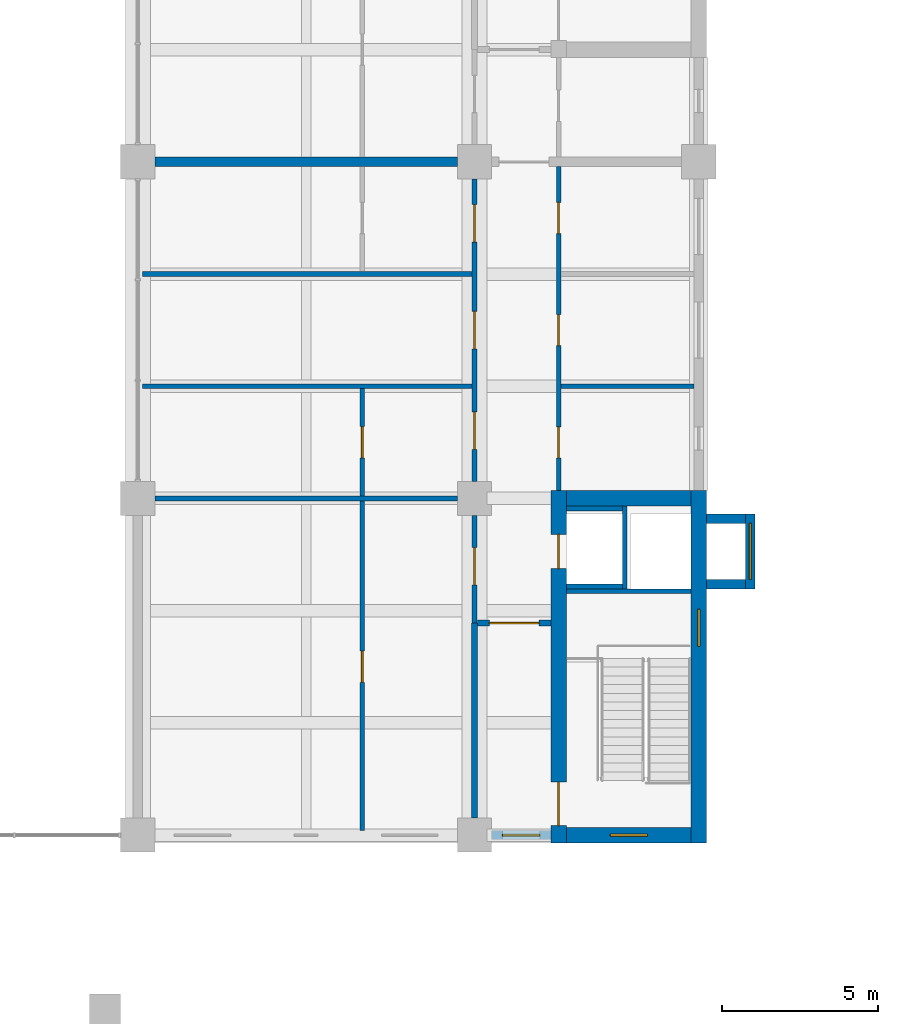
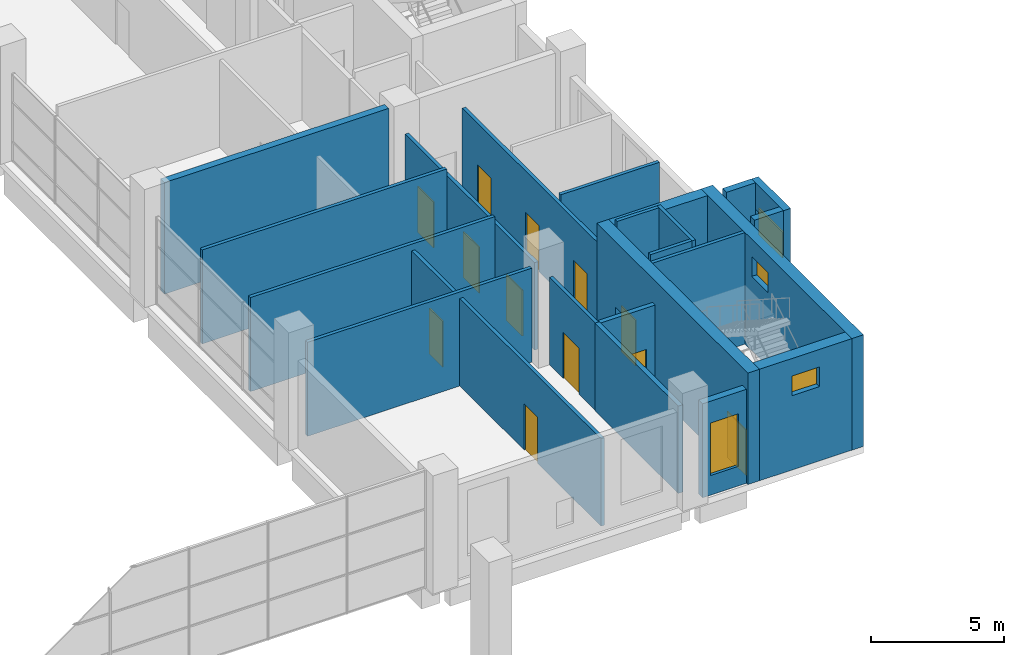
# One storey, part 20 of 32: 24 walls, 12 doors, 4 windows, 16 openings.
"""IFC4 building model written with IfcOpenShell, lengths in metres."""

from ifc_helpers import new_model, si_unit, direction, frame, frame_2d, origin, place, context, subcontext, project, spatial, rectangle, extrude, material, layer, layer_set, type_object, element, fill, save


model = new_model("IFC4")

# Units and contexts
model_context = context("Model", 3, precision=1e-05, world=origin(), true_north=direction((0.0, 1.0)))
body_context = subcontext(model_context, "Body", "Model", "MODEL_VIEW")
ifc_project = project(units=[si_unit("LENGTHUNIT", "METRE"), si_unit("AREAUNIT", "SQUARE_METRE"), si_unit("VOLUMEUNIT", "CUBIC_METRE"), si_unit("PLANEANGLEUNIT", "RADIAN"), si_unit("MASSUNIT", "GRAM", prefix="KILO")], contexts=[model_context])

# Site, building, storey
site_placement = place(None, origin())
site = spatial("IfcSite", under=ifc_project, at=site_placement, CompositionType="ELEMENT")
building_placement = place(site_placement, origin())
building = spatial("IfcBuilding", under=site, at=building_placement, Name="Basin Gate Institute", CompositionType="ELEMENT")
storey_placement = place(building_placement, frame((0.0, 0.0, 11.39990234375)))
storey = spatial("IfcBuildingStorey", under=building, at=storey_placement, Name="L02", CompositionType="ELEMENT", Elevation=11.39990234375)

# Wall, opening, door
ifc_material_1 = material(Name="Fire-rated masonry", Category="masonry")
ifc_layer_1 = layer(ifc_material_1, 0.199951171875)
ifc_layer_set_1 = layer_set([ifc_layer_1], Name="Enclosure wall PW2 200 EI 60")
wall_type_1 = type_object("IfcWallType", Name="Enclosure wall PW2 200 EI 60", PredefinedType="PARTITIONING", material=ifc_layer_set_1)
wall_1_placement = place(storey_placement, frame((114.050048828125, 41.89990234375, 0.0), z_axis=(0.0, 0.0, 1.0), x_axis=(-1.0, 0.0, 0.0)))
wall_1 = element("IfcWall", 1, at=wall_1_placement, inside=storey, type_object=wall_type_1, material=ifc_layer_set_1, Name="Smoke lobby enclosure wall PW2 L02", PredefinedType="PARTITIONING", context=body_context, shape_type="SweptSolid", body=[
    extrude(rectangle(XDim=2.35009765625, YDim=0.199951171875, at=frame_2d((1.175048828125, 0.0))), origin(), (0.0, 0.0, 1.0), 4.0),
])
opening_1_placement = place(wall_1_placement, frame((0.375, 0.0, 0.0)))
opening_1 = element("IfcOpeningElement", 2, at=opening_1_placement, cuts=wall_1, Name="Opening DR118", PredefinedType="OPENING", context=body_context, shape_type="SweptSolid", body=[
    extrude(rectangle(XDim=1.60009765625, YDim=2.10009765625, at=frame_2d((0.800048828125, 1.050048828125))), frame((0.0, 0.10986328125, 0.0), z_axis=(0.0, -1.0, 0.0), x_axis=(1.0, 0.0, 0.0)), (0.0, 0.0, 1.0), 0.219970703125),
])
ifc_material_2 = material(Name="Steel fire door", Category="steel")
door_type_1 = type_object("IfcDoorType", Name="FD60 Smoke lobby door pair D8", OperationType="DOUBLE_DOOR_SINGLE_SWING", PredefinedType="DOOR", material=ifc_material_2)
door_1_placement = place(opening_1_placement, origin())
door_1 = element("IfcDoor", 3, at=door_1_placement, inside=storey, type_object=door_type_1, material=ifc_material_2, Name="Smoke lobby door SS4 L02", OperationType="DOUBLE_DOOR_SINGLE_SWING", OverallHeight=2.10009765625, OverallWidth=1.60009765625, PredefinedType="DOOR", context=body_context, shape_type="SweptSolid", body=[
    extrude(rectangle(XDim=1.60009765625, YDim=2.10009765625, at=frame_2d((0.800048828125, 1.050048828125))), frame((0.0, 0.02490234375, 0.0), z_axis=(0.0, -1.0, 0.0), x_axis=(1.0, 0.0, 0.0)), (0.0, 0.0, 1.0), 0.050048828125),
])
fill(opening_1, door_1)

# Wall
wall_2_placement = place(storey_placement, frame((111.60009765625, 35.64990234375, 0.0), z_axis=(0.0, 0.0, 1.0), x_axis=(0.0, 1.0, 0.0)))
element("IfcWall", 4, at=wall_2_placement, inside=storey, type_object=wall_type_1, material=ifc_layer_set_1, Name="Smoke lobby enclosure wall PW2 L02", PredefinedType="PARTITIONING", context=body_context, shape_type="SweptSolid", body=[
    extrude(rectangle(XDim=6.25, YDim=0.199951171875, at=frame_2d((3.125, 0.0))), origin(), (0.0, 0.0, 1.0), 4.0),
])

# Wall, opening, window
ifc_material_3 = material(Name="Aluminium-faced insulated panel wall", Category="aluminium")
ifc_layer_2 = layer(ifc_material_3, 0.300048828125)
ifc_layer_set_2 = layer_set([ifc_layer_2], Name="External wall EW1 EI 120")
wall_type_2 = type_object("IfcWallType", Name="External wall EW1 EI 120", PredefinedType="STANDARD", material=ifc_layer_set_2)
wall_3_placement = place(storey_placement, frame((114.050048828125, 35.10009765625, 0.0), z_axis=(0.0, 0.0, 1.0), x_axis=(-1.0, 0.0, 0.0)))
wall_3 = element("IfcWall", 5, at=wall_3_placement, inside=storey, type_object=wall_type_2, material=ifc_layer_set_2, Name="External end wall E wing south L02 1", PredefinedType="STANDARD", context=body_context, shape_type="SweptSolid", body=[
    extrude(rectangle(XDim=1.900146484375, YDim=0.300048828125, at=frame_2d((0.9501953125, 0.0))), origin(), (0.0, 0.0, 1.0), 4.300048828125),
])
opening_2_placement = place(wall_3_placement, frame((0.35009765625, 0.0, 0.89990234375)))
opening_2 = element("IfcOpeningElement", 6, at=opening_2_placement, cuts=wall_3, Name="Opening WN4", PredefinedType="OPENING", context=body_context, shape_type="SweptSolid", body=[
    extrude(rectangle(XDim=1.199951171875, YDim=2.39990234375, at=frame_2d((0.60009765625, 1.199951171875))), frame((0.0, 0.16015625, 0.0), z_axis=(0.0, -1.0, 0.0), x_axis=(1.0, 0.0, 0.0)), (0.0, 0.0, 1.0), 0.320068359375),
])
ifc_material_4 = material(Name="Aluminium-framed double glazing", Category="aluminium")
window_type_1 = type_object("IfcWindowType", Name="Corridor end window WN4", PartitioningType="SINGLE_PANEL", PredefinedType="WINDOW", material=ifc_material_4)
window_1_placement = place(opening_2_placement, origin())
window_1 = element("IfcWindow", 7, at=window_1_placement, inside=storey, type_object=window_type_1, material=ifc_material_4, Name="Corridor end window E wing S L02", OverallHeight=2.39990234375, OverallWidth=1.199951171875, PartitioningType="SINGLE_PANEL", PredefinedType="WINDOW", context=body_context, shape_type="SweptSolid", body=[
    extrude(rectangle(XDim=1.199951171875, YDim=2.39990234375, at=frame_2d((0.60009765625, 1.199951171875))), frame((0.0, 0.030029296875, 0.0), z_axis=(0.0, -1.0, 0.0), x_axis=(1.0, 0.0, 0.0)), (0.0, 0.0, 1.0), 0.06005859375),
])
fill(opening_2, window_1)

# Wall, openings, doors
ifc_material_5 = material(Name="Gypsum board on steel stud", Category="steel")
ifc_layer_3 = layer(ifc_material_5, 0.14990234375)
ifc_layer_set_3 = layer_set([ifc_layer_3], Name="Gypsum board on steel stud")
wall_type_3 = type_object("IfcWallType", Name="Partition PW1 150 EI 60", PredefinedType="PARTITIONING", material=ifc_layer_set_3)
wall_4_placement = place(storey_placement, frame((114.300048828125, 46.14990234375, 0.0), z_axis=(0.0, 0.0, 1.0), x_axis=(0.0, 1.0, 0.0)))
wall_4 = element("IfcWall", 8, at=wall_4_placement, inside=storey, type_object=wall_type_3, material=ifc_layer_set_3, Name="Corridor wall PW1 L02", PredefinedType="PARTITIONING", context=body_context, shape_type="SweptSolid", body=[
    extrude(rectangle(XDim=10.400146484375, YDim=0.14990234375, at=frame_2d((5.2001953125, 0.0))), origin(), (0.0, 0.0, 1.0), 4.0),
])
opening_3_placement = place(wall_4_placement, frame((4.64990234375, 0.0, 0.0)))
opening_3 = element("IfcOpeningElement", 9, at=opening_3_placement, cuts=wall_4, Name="Opening DR100", PredefinedType="OPENING", context=body_context, shape_type="SweptSolid", body=[
    extrude(rectangle(XDim=1.0, YDim=2.10009765625, at=frame_2d((0.5, 1.050048828125))), frame((0.0, 0.0849609375, 0.0), z_axis=(0.0, -1.0, 0.0), x_axis=(1.0, 0.0, 0.0)), (0.0, 0.0, 1.0), 0.169921875),
])
opening_4_placement = place(wall_4_placement, frame((1.050048828125, 0.0, 0.0)))
opening_4 = element("IfcOpeningElement", 10, at=opening_4_placement, cuts=wall_4, Name="Opening DR111", PredefinedType="OPENING", context=body_context, shape_type="SweptSolid", body=[
    extrude(rectangle(XDim=1.0, YDim=2.10009765625, at=frame_2d((0.5, 1.050048828125))), frame((0.0, 0.0849609375, 0.0), z_axis=(0.0, -1.0, 0.0), x_axis=(1.0, 0.0, 0.0)), (0.0, 0.0, 1.0), 0.169921875),
])
opening_5_placement = place(wall_4_placement, frame((8.25, 0.0, 0.0)))
opening_5 = element("IfcOpeningElement", 11, at=opening_5_placement, cuts=wall_4, Name="Opening DR113", PredefinedType="OPENING", context=body_context, shape_type="SweptSolid", body=[
    extrude(rectangle(XDim=1.0, YDim=2.10009765625, at=frame_2d((0.5, 1.050048828125))), frame((0.0, 0.0849609375, 0.0), z_axis=(0.0, -1.0, 0.0), x_axis=(1.0, 0.0, 0.0)), (0.0, 0.0, 1.0), 0.169921875),
])
ifc_material_6 = material(Name="Timber fire door", Category="wood")
door_type_2 = type_object("IfcDoorType", Name="FD30 Office door D1", OperationType="NOTDEFINED", PredefinedType="DOOR", material=ifc_material_6)
door_2_placement = place(opening_4_placement, frame((1.0, 0.0, 0.0), z_axis=(0.0, 0.0, 1.0), x_axis=(-1.0, 0.0, 0.0)))
door_2 = element("IfcDoor", 12, at=door_2_placement, inside=storey, type_object=door_type_2, material=ifc_material_6, Name="Door to Meeting Room 0251 L02", OperationType="SINGLE_SWING_RIGHT", OverallHeight=2.10009765625, OverallWidth=1.0, PredefinedType="DOOR", context=body_context, shape_type="SweptSolid", body=[
    extrude(rectangle(XDim=1.0, YDim=2.10009765625, at=frame_2d((0.5, 1.050048828125))), frame((0.0, 0.02490234375, 0.0), z_axis=(0.0, -1.0, 0.0), x_axis=(1.0, 0.0, 0.0)), (0.0, 0.0, 1.0), 0.050048828125),
])
fill(opening_4, door_2)
door_3_placement = place(opening_5_placement, frame((1.0, 0.0, 0.0), z_axis=(0.0, 0.0, 1.0), x_axis=(-1.0, 0.0, 0.0)))
door_3 = element("IfcDoor", 13, at=door_3_placement, inside=storey, type_object=door_type_2, material=ifc_material_6, Name="Door to Write-up Office 0253 L02", OperationType="SINGLE_SWING_LEFT", OverallHeight=2.10009765625, OverallWidth=1.0, PredefinedType="DOOR", context=body_context, shape_type="SweptSolid", body=[
    extrude(rectangle(XDim=1.0, YDim=2.10009765625, at=frame_2d((0.5, 1.050048828125))), frame((0.0, 0.02490234375, 0.0), z_axis=(0.0, -1.0, 0.0), x_axis=(1.0, 0.0, 0.0)), (0.0, 0.0, 1.0), 0.050048828125),
])
fill(opening_5, door_3)
ifc_material_7 = material(Name="Timber fire door", Category="wood")
door_type_3 = type_object("IfcDoorType", Name="FD30 Toilet door D3", OperationType="NOTDEFINED", PredefinedType="DOOR", material=ifc_material_7)
door_4_placement = place(opening_3_placement, frame((1.0, 0.0, 0.0), z_axis=(0.0, 0.0, 1.0), x_axis=(-1.0, 0.0, 0.0)))
door_4 = element("IfcDoor", 14, at=door_4_placement, inside=storey, type_object=door_type_3, material=ifc_material_7, Name="Door to Female WC L02", OperationType="SINGLE_SWING_RIGHT", OverallHeight=2.10009765625, OverallWidth=1.0, PredefinedType="DOOR", context=body_context, shape_type="SweptSolid", body=[
    extrude(rectangle(XDim=1.0, YDim=2.10009765625, at=frame_2d((0.5, 1.050048828125))), frame((0.0, 0.02490234375, 0.0), z_axis=(0.0, -1.0, 0.0), x_axis=(1.0, 0.0, 0.0)), (0.0, 0.0, 1.0), 0.050048828125),
])
fill(opening_3, door_4)

# Wall, opening, door
wall_5_placement = place(storey_placement, frame((111.60009765625, 41.89990234375, 0.0), z_axis=(0.0, 0.0, 1.0), x_axis=(0.0, 1.0, 0.0)))
wall_5 = element("IfcWall", 15, at=wall_5_placement, inside=storey, type_object=wall_type_3, material=ifc_layer_set_3, Name="Laboratory corridor wall PW1 L02", PredefinedType="PARTITIONING", context=body_context, shape_type="SweptSolid", body=[
    extrude(rectangle(XDim=3.4501953125, YDim=0.14990234375, at=frame_2d((1.72509765625, 0.0))), origin(), (0.0, 0.0, 1.0), 4.0),
])
opening_6_placement = place(wall_5_placement, frame((1.22509765625, 0.0, 0.0)))
opening_6 = element("IfcOpeningElement", 16, at=opening_6_placement, cuts=wall_5, Name="Opening DR101", PredefinedType="OPENING", context=body_context, shape_type="SweptSolid", body=[
    extrude(rectangle(XDim=1.199951171875, YDim=2.10009765625, at=frame_2d((0.60009765625, 1.050048828125))), frame((0.0, 0.0849609375, 0.0), z_axis=(0.0, -1.0, 0.0), x_axis=(1.0, 0.0, 0.0)), (0.0, 0.0, 1.0), 0.169921875),
])
ifc_material_8 = material(Name="Timber fire door", Category="wood")
door_type_4 = type_object("IfcDoorType", Name="FD30 Laboratory door D2", OperationType="DOUBLE_DOOR_SINGLE_SWING", PredefinedType="DOOR", material=ifc_material_8)
door_5_placement = place(opening_6_placement, origin())
door_5 = element("IfcDoor", 17, at=door_5_placement, inside=storey, type_object=door_type_4, material=ifc_material_8, Name="Door to Gowning Airlock 0267 L02", OperationType="DOUBLE_DOOR_SINGLE_SWING", OverallHeight=2.10009765625, OverallWidth=1.199951171875, PredefinedType="DOOR", context=body_context, shape_type="SweptSolid", body=[
    extrude(rectangle(XDim=1.199951171875, YDim=2.10009765625, at=frame_2d((0.60009765625, 1.050048828125))), frame((0.0, 0.02490234375, 0.0), z_axis=(0.0, -1.0, 0.0), x_axis=(1.0, 0.0, 0.0)), (0.0, 0.0, 1.0), 0.050048828125),
])
fill(opening_6, door_5)

# Wall, openings, doors
wall_6_placement = place(storey_placement, frame((111.60009765625, 46.449951171875, 0.0), z_axis=(0.0, 0.0, 1.0), x_axis=(0.0, 1.0, 0.0)))
wall_6 = element("IfcWall", 18, at=wall_6_placement, inside=storey, type_object=wall_type_3, material=ifc_layer_set_3, Name="Laboratory corridor wall PW1 L02", PredefinedType="PARTITIONING", context=body_context, shape_type="SweptSolid", body=[
    extrude(rectangle(XDim=9.699951171875, YDim=0.14990234375, at=frame_2d((4.85009765625, 0.0))), origin(), (0.0, 0.0, 1.0), 4.0),
])
opening_7_placement = place(wall_6_placement, frame((1.02490234375, 0.0, 0.0)))
opening_7 = element("IfcOpeningElement", 19, at=opening_7_placement, cuts=wall_6, Name="Opening DR102", PredefinedType="OPENING", context=body_context, shape_type="SweptSolid", body=[
    extrude(rectangle(XDim=1.199951171875, YDim=2.10009765625, at=frame_2d((0.60009765625, 1.050048828125))), frame((0.0, 0.0849609375, 0.0), z_axis=(0.0, -1.0, 0.0), x_axis=(1.0, 0.0, 0.0)), (0.0, 0.0, 1.0), 0.169921875),
])
opening_8_placement = place(wall_6_placement, frame((7.675048828125, 0.0, 0.0)))
opening_8 = element("IfcOpeningElement", 20, at=opening_8_placement, cuts=wall_6, Name="Opening DR103", PredefinedType="OPENING", context=body_context, shape_type="SweptSolid", body=[
    extrude(rectangle(XDim=1.199951171875, YDim=2.10009765625, at=frame_2d((0.60009765625, 1.050048828125))), frame((0.0, 0.0849609375, 0.0), z_axis=(0.0, -1.0, 0.0), x_axis=(1.0, 0.0, 0.0)), (0.0, 0.0, 1.0), 0.169921875),
])
opening_9_placement = place(wall_6_placement, frame((4.25, 0.0, 0.0)))
opening_9 = element("IfcOpeningElement", 21, at=opening_9_placement, cuts=wall_6, Name="Opening DR109", PredefinedType="OPENING", context=body_context, shape_type="SweptSolid", body=[
    extrude(rectangle(XDim=1.199951171875, YDim=2.10009765625, at=frame_2d((0.60009765625, 1.050048828125))), frame((0.0, 0.0849609375, 0.0), z_axis=(0.0, -1.0, 0.0), x_axis=(1.0, 0.0, 0.0)), (0.0, 0.0, 1.0), 0.169921875),
])
door_6_placement = place(opening_7_placement, origin())
door_6 = element("IfcDoor", 22, at=door_6_placement, inside=storey, type_object=door_type_4, material=ifc_material_8, Name="Door to Gowning Airlock 0269 L02", OperationType="DOUBLE_DOOR_SINGLE_SWING", OverallHeight=2.10009765625, OverallWidth=1.199951171875, PredefinedType="DOOR", context=body_context, shape_type="SweptSolid", body=[
    extrude(rectangle(XDim=1.199951171875, YDim=2.10009765625, at=frame_2d((0.60009765625, 1.050048828125))), frame((0.0, 0.02490234375, 0.0), z_axis=(0.0, -1.0, 0.0), x_axis=(1.0, 0.0, 0.0)), (0.0, 0.0, 1.0), 0.050048828125),
])
fill(opening_7, door_6)
door_7_placement = place(opening_8_placement, origin())
door_7 = element("IfcDoor", 23, at=door_7_placement, inside=storey, type_object=door_type_4, material=ifc_material_8, Name="Door to Gowning Airlock 0272 L02", OperationType="DOUBLE_DOOR_SINGLE_SWING", OverallHeight=2.10009765625, OverallWidth=1.199951171875, PredefinedType="DOOR", context=body_context, shape_type="SweptSolid", body=[
    extrude(rectangle(XDim=1.199951171875, YDim=2.10009765625, at=frame_2d((0.60009765625, 1.050048828125))), frame((0.0, 0.02490234375, 0.0), z_axis=(0.0, -1.0, 0.0), x_axis=(1.0, 0.0, 0.0)), (0.0, 0.0, 1.0), 0.050048828125),
])
fill(opening_8, door_7)
door_8_placement = place(opening_9_placement, origin())
door_8 = element("IfcDoor", 24, at=door_8_placement, inside=storey, type_object=door_type_4, material=ifc_material_8, Name="Door to Instrument Room 0271 L02", OperationType="DOUBLE_DOOR_SINGLE_SWING", OverallHeight=2.10009765625, OverallWidth=1.199951171875, PredefinedType="DOOR", context=body_context, shape_type="SweptSolid", body=[
    extrude(rectangle(XDim=1.199951171875, YDim=2.10009765625, at=frame_2d((0.60009765625, 1.050048828125))), frame((0.0, 0.02490234375, 0.0), z_axis=(0.0, -1.0, 0.0), x_axis=(1.0, 0.0, 0.0)), (0.0, 0.0, 1.0), 0.050048828125),
])
fill(opening_9, door_8)

# Wall, opening, door
wall_7_placement = place(storey_placement, frame((108.0, 35.25, 0.0), z_axis=(0.0, 0.0, 1.0), x_axis=(0.0, 1.0, 0.0)))
wall_7 = element("IfcWall", 25, at=wall_7_placement, inside=storey, type_object=wall_type_3, material=ifc_layer_set_3, Name="Clean room wall PW1 L02", PredefinedType="PARTITIONING", context=body_context, shape_type="SweptSolid", body=[
    extrude(rectangle(XDim=10.574951171875, YDim=0.14990234375, at=frame_2d((5.28759765625, 0.0))), origin(), (0.0, 0.0, 1.0), 4.0),
])
opening_10_placement = place(wall_7_placement, frame((4.75, 0.0, 0.0)))
opening_10 = element("IfcOpeningElement", 26, at=opening_10_placement, cuts=wall_7, Name="Opening DR095", PredefinedType="OPENING", context=body_context, shape_type="SweptSolid", body=[
    extrude(rectangle(XDim=1.0, YDim=2.10009765625, at=frame_2d((0.5, 1.050048828125))), frame((0.0, 0.0849609375, 0.0), z_axis=(0.0, -1.0, 0.0), x_axis=(1.0, 0.0, 0.0)), (0.0, 0.0, 1.0), 0.169921875),
])
ifc_material_9 = material(Name="Steel fire door", Category="steel")
door_type_5 = type_object("IfcDoorType", Name="FD30 Airlock door D5", OperationType="NOTDEFINED", PredefinedType="DOOR", material=ifc_material_9)
door_9_placement = place(opening_10_placement, origin())
door_9 = element("IfcDoor", 27, at=door_9_placement, inside=storey, type_object=door_type_5, material=ifc_material_9, Name="Clean room entry door Clean Room ISO 7 0267 L02", OperationType="SINGLE_SWING_LEFT", OverallHeight=2.10009765625, OverallWidth=1.0, PredefinedType="DOOR", context=body_context, shape_type="SweptSolid", body=[
    extrude(rectangle(XDim=1.0, YDim=2.10009765625, at=frame_2d((0.5, 1.050048828125))), frame((0.0, 0.02490234375, 0.0), z_axis=(0.0, -1.0, 0.0), x_axis=(1.0, 0.0, 0.0)), (0.0, 0.0, 1.0), 0.050048828125),
])
fill(opening_10, door_9)

wall_8_placement = place(storey_placement, frame((108.0, 45.97509765625, 0.0), z_axis=(0.0, 0.0, 1.0), x_axis=(0.0, 1.0, 0.0)))
wall_8 = element("IfcWall", 28, at=wall_8_placement, inside=storey, type_object=wall_type_3, material=ifc_layer_set_3, Name="Clean room wall PW1 L02", PredefinedType="PARTITIONING", context=body_context, shape_type="SweptSolid", body=[
    extrude(rectangle(XDim=3.449951171875, YDim=0.14990234375, at=frame_2d((1.72509765625, 0.0))), origin(), (0.0, 0.0, 1.0), 4.0),
])
opening_11_placement = place(wall_8_placement, frame((1.22509765625, 0.0, 0.0)))
opening_11 = element("IfcOpeningElement", 29, at=opening_11_placement, cuts=wall_8, Name="Opening DR092", PredefinedType="OPENING", context=body_context, shape_type="SweptSolid", body=[
    extrude(rectangle(XDim=1.0, YDim=2.10009765625, at=frame_2d((0.5, 1.050048828125))), frame((0.0, 0.0849609375, 0.0), z_axis=(0.0, -1.0, 0.0), x_axis=(1.0, 0.0, 0.0)), (0.0, 0.0, 1.0), 0.169921875),
])
door_10_placement = place(opening_11_placement, origin())
door_10 = element("IfcDoor", 30, at=door_10_placement, inside=storey, type_object=door_type_5, material=ifc_material_9, Name="Clean room entry door Clean Room ISO 6 0269 L02", OperationType="SINGLE_SWING_RIGHT", OverallHeight=2.10009765625, OverallWidth=1.0, PredefinedType="DOOR", context=body_context, shape_type="SweptSolid", body=[
    extrude(rectangle(XDim=1.0, YDim=2.10009765625, at=frame_2d((0.5, 1.050048828125))), frame((0.0, 0.02490234375, 0.0), z_axis=(0.0, -1.0, 0.0), x_axis=(1.0, 0.0, 0.0)), (0.0, 0.0, 1.0), 0.050048828125),
])
fill(opening_11, door_10)

# Walls
wall_9_placement = place(storey_placement, frame((111.050048828125, 45.89990234375, 0.0), z_axis=(0.0, 0.0, 1.0), x_axis=(-1.0, 0.0, 0.0)))
element("IfcWall", 31, at=wall_9_placement, inside=storey, type_object=wall_type_3, material=ifc_layer_set_3, Name="Clean room wall PW1 L02", PredefinedType="PARTITIONING", context=body_context, shape_type="SweptSolid", body=[
    extrude(rectangle(XDim=9.699951171875, YDim=0.14990234375, at=frame_2d((4.85009765625, 0.0))), origin(), (0.0, 0.0, 1.0), 4.300048828125),
])
for number, where, z_axis, x_axis, name in (
    (32, (111.52490234375, 49.5, 0.0), (0.0, 0.0, 1.0), (-1.0, 0.0, 0.0), "Clean room wall PW1 L02"),
    (33, (111.52490234375, 53.10009765625, 0.0), (0.0, 0.0, 1.0), (-1.0, 0.0, 0.0), "Clean room wall PW1 L02"),
):
    element("IfcWall", number, at=place(storey_placement, frame(where, z_axis=z_axis, x_axis=x_axis)), inside=storey, type_object=wall_type_3, material=ifc_layer_set_3, Name=name, PredefinedType="PARTITIONING", context=body_context, shape_type="SweptSolid", body=[
        extrude(rectangle(XDim=10.574951171875, YDim=0.14990234375, at=frame_2d((5.28759765625, 0.0))), origin(), (0.0, 0.0, 1.0), 4.300048828125),
    ])
ifc_material_10 = material(Name="Gypsum board on steel stud", Category="steel")
ifc_layer_4 = layer(ifc_material_10, 0.14990234375)
ifc_layer_set_4 = layer_set([ifc_layer_4], Name="Gypsum board on steel stud")
wall_type_4 = type_object("IfcWallType", Name="Partition PW4 150", PredefinedType="PARTITIONING", material=ifc_layer_set_4)
wall_10_placement = place(storey_placement, frame((118.64990234375, 49.5, 0.0), z_axis=(0.0, 0.0, 1.0), x_axis=(-1.0, 0.0, 0.0)))
element("IfcWall", 34, at=wall_10_placement, inside=storey, type_object=wall_type_4, material=ifc_layer_set_4, Name="Toilet partition PW4 L02", PredefinedType="PARTITIONING", context=body_context, shape_type="SweptSolid", body=[
    extrude(rectangle(XDim=4.27490234375, YDim=0.14990234375, at=frame_2d((2.137451171875, 0.0))), origin(), (0.0, 0.0, 1.0), 4.300048828125),
])
ifc_material_11 = material(Name="Concrete 40 MPa", Category="concrete")
ifc_layer_5 = layer(ifc_material_11, 0.14990234375)
ifc_layer_set_5 = layer_set([ifc_layer_5], Name="Concrete 40 MPa")
wall_type_5 = type_object("IfcWallType", Name="Wall LS1 lift shaft enclosure R180", PredefinedType="SOLIDWALL", material=ifc_layer_set_5)
wall_11_placement = place(storey_placement, frame((116.425048828125, 43.0, 0.0), z_axis=(0.0, 0.0, 1.0), x_axis=(0.0, 1.0, 0.0)))
element("IfcWall", 35, at=wall_11_placement, inside=storey, type_object=wall_type_5, material=ifc_layer_set_5, Name="Lift shaft enclosure LP4 L02 UL", PredefinedType="SOLIDWALL", context=body_context, shape_type="SweptSolid", body=[
    extrude(rectangle(XDim=2.64990234375, YDim=0.14990234375, at=frame_2d((1.324951171875, 0.0))), origin(), (0.0, 0.0, 1.0), 5.400146484375),
])
for number, where, z_axis, x_axis, name in (
    (36, (116.35009765625, 43.074951171875, 0.0), (0.0, 0.0, 1.0), (-1.0, 0.0, 0.0), "Lift shaft enclosure LP4 L02 RL"),
    (37, (116.35009765625, 45.574951171875, 0.0), (0.0, 0.0, 1.0), (-1.0, 0.0, 0.0), "Lift shaft enclosure LP4 L02 RH"),
):
    element("IfcWall", number, at=place(storey_placement, frame(where, z_axis=z_axis, x_axis=x_axis)), inside=storey, type_object=wall_type_5, material=ifc_layer_set_5, Name=name, PredefinedType="SOLIDWALL", context=body_context, shape_type="SweptSolid", body=[
        extrude(rectangle(XDim=1.800048828125, YDim=0.14990234375, at=frame_2d((0.89990234375, 0.0))), origin(), (0.0, 0.0, 1.0), 5.400146484375),
    ])
ifc_material_12 = material(Name="Concrete 40 MPa", Category="concrete")
ifc_layer_6 = layer(ifc_material_12, 0.14990234375)
ifc_layer_set_6 = layer_set([ifc_layer_6], Name="Concrete 40 MPa")
wall_type_6 = type_object("IfcWallType", Name="Wall SE1 stair enclosure R180", PredefinedType="SOLIDWALL", material=ifc_layer_set_6)
wall_12_placement = place(storey_placement, frame((118.550048828125, 42.925048828125, 0.0), z_axis=(0.0, 0.0, 1.0), x_axis=(-1.0, 0.0, 0.0)))
element("IfcWall", 38, at=wall_12_placement, inside=storey, type_object=wall_type_6, material=ifc_layer_set_6, Name="Stair enclosure wall ST-ES L02", PredefinedType="SOLIDWALL", context=body_context, shape_type="SweptSolid", body=[
    extrude(rectangle(XDim=4.0, YDim=0.14990234375, at=frame_2d((2.0, 0.0))), origin(), (0.0, 0.0, 1.0), 5.10009765625),
])

# Wall, opening, window
ifc_material_13 = material(Name="Concrete 50 MPa", Category="concrete")
ifc_layer_7 = layer(ifc_material_13, 0.300048828125)
ifc_layer_set_7 = layer_set([ifc_layer_7], Name="Concrete 50 MPa")
wall_type_7 = type_object("IfcWallType", Name="Wall SK1 R180", PredefinedType="SHEAR", material=ifc_layer_set_7)
wall_13_placement = place(storey_placement, frame((120.449951171875, 43.0, 0.0), z_axis=(0.0, 0.0, 1.0), x_axis=(0.0, 1.0, 0.0)))
wall_13 = element("IfcWall", 39, at=wall_13_placement, inside=storey, type_object=wall_type_7, material=ifc_layer_set_7, Name="Spine riser stack wall SK1 ES F L02", PredefinedType="SHEAR", context=body_context, shape_type="SweptSolid", body=[
    extrude(rectangle(XDim=2.39990234375, YDim=0.300048828125, at=frame_2d((1.199951171875, 0.0))), origin(), (0.0, 0.0, 1.0), 5.400146484375),
])
opening_12_placement = place(wall_13_placement, frame((0.300048828125, 0.0, 3.0)))
opening_12 = element("IfcOpeningElement", 40, at=opening_12_placement, cuts=wall_13, Name="Opening WL1", PredefinedType="OPENING", context=body_context, shape_type="SweptSolid", body=[
    extrude(rectangle(XDim=1.800048828125, YDim=1.199951171875, at=frame_2d((0.89990234375, 0.60009765625))), frame((0.0, 0.16015625, 0.0), z_axis=(0.0, -1.0, 0.0), x_axis=(1.0, 0.0, 0.0)), (0.0, 0.0, 1.0), 0.320068359375),
])
ifc_material_14 = material(Name="Aluminium louvre blades with fire damper", Category="aluminium")
window_type_2 = type_object("IfcWindowType", Name="Riser louvre EI 180 WL1", PartitioningType="SINGLE_PANEL", PredefinedType="WINDOW", material=ifc_material_14)
window_2_placement = place(opening_12_placement, origin())
window_2 = element("IfcWindow", 41, at=window_2_placement, inside=storey, type_object=window_type_2, material=ifc_material_14, Name="Riser louvre EI 180 ES riser 1 L02", OverallHeight=1.199951171875, OverallWidth=1.800048828125, PartitioningType="SINGLE_PANEL", PredefinedType="WINDOW", context=body_context, shape_type="SweptSolid", body=[
    extrude(rectangle(XDim=1.800048828125, YDim=1.199951171875, at=frame_2d((0.89990234375, 0.60009765625))), frame((0.0, 0.030029296875, 0.0), z_axis=(0.0, -1.0, 0.0), x_axis=(1.0, 0.0, 0.0)), (0.0, 0.0, 1.0), 0.06005859375),
])
fill(opening_12, window_2)

# Walls
for number, where, z_axis, x_axis, name in (
    (42, (119.050048828125, 43.14990234375, 0.0), (0.0, 0.0, 1.0), (1.0, 0.0, 0.0), "Spine riser stack wall SK1 ES A L02"),
    (43, (119.050048828125, 45.25, 0.0), (0.0, 0.0, 1.0), (1.0, 0.0, 0.0), "Spine riser stack wall SK1 ES B L02"),
):
    element("IfcWall", number, at=place(storey_placement, frame(where, z_axis=z_axis, x_axis=x_axis)), inside=storey, type_object=wall_type_7, material=ifc_layer_set_7, Name=name, PredefinedType="SHEAR", context=body_context, shape_type="SweptSolid", body=[
        extrude(rectangle(XDim=1.25, YDim=0.300048828125, at=frame_2d((0.625, 0.0))), origin(), (0.0, 0.0, 1.0), 5.400146484375),
    ])

# Wall, opening, window
ifc_material_15 = material(Name="Concrete 60 MPa", Category="concrete")
ifc_layer_8 = layer(ifc_material_15, 0.5)
ifc_layer_set_8 = layer_set([ifc_layer_8], Name="Concrete 60 MPa")
wall_type_8 = type_object("IfcWallType", Name="Wall SW1 R180", PredefinedType="SHEAR", material=ifc_layer_set_8)
wall_14_placement = place(storey_placement, frame((118.800048828125, 34.85009765625, 0.0), z_axis=(0.0, 0.0, 1.0), x_axis=(0.0, 1.0, 0.0)))
wall_14 = element("IfcWall", 44, at=wall_14_placement, inside=storey, type_object=wall_type_8, material=ifc_layer_set_8, Name="WALL/L02/ES/L", PredefinedType="SHEAR", context=body_context, shape_type="SweptSolid", body=[
    extrude(rectangle(XDim=11.2998046875, YDim=0.5, at=frame_2d((5.64990234375, 0.0))), origin(), (0.0, 0.0, 1.0), 5.10009765625),
])
opening_13_placement = place(wall_14_placement, frame((6.300048828125, 0.0, 3.39990234375)))
opening_13 = element("IfcOpeningElement", 45, at=opening_13_placement, cuts=wall_14, Name="Opening WT1", PredefinedType="OPENING", context=body_context, shape_type="SweptSolid", body=[
    extrude(rectangle(XDim=1.199951171875, YDim=0.89990234375, at=frame_2d((0.60009765625, 0.449951171875))), frame((0.0, 0.260009765625, 0.0), z_axis=(0.0, -1.0, 0.0), x_axis=(1.0, 0.0, 0.0)), (0.0, 0.0, 1.0), 0.52001953125),
])
ifc_material_16 = material(Name="Fire-resistant glazing in steel-free frame", Category="steel")
window_type_3 = type_object("IfcWindowType", Name="Rated stair window EI 180 WT1", PartitioningType="SINGLE_PANEL", PredefinedType="WINDOW", material=ifc_material_16)
window_3_placement = place(opening_13_placement, origin())
window_3 = element("IfcWindow", 46, at=window_3_placement, inside=storey, type_object=window_type_3, material=ifc_material_16, Name="Rated stair window EI 180 ES landing L02", OverallHeight=0.89990234375, OverallWidth=1.199951171875, PartitioningType="SINGLE_PANEL", PredefinedType="WINDOW", context=body_context, shape_type="SweptSolid", body=[
    extrude(rectangle(XDim=1.199951171875, YDim=0.89990234375, at=frame_2d((0.60009765625, 0.449951171875))), frame((0.0, 0.030029296875, 0.0), z_axis=(0.0, -1.0, 0.0), x_axis=(1.0, 0.0, 0.0)), (0.0, 0.0, 1.0), 0.06005859375),
])
fill(opening_13, window_3)

# Wall, openings, doors
wall_15_placement = place(storey_placement, frame((114.300048828125, 34.85009765625, 0.0), z_axis=(0.0, 0.0, 1.0), x_axis=(0.0, 1.0, 0.0)))
wall_15 = element("IfcWall", 47, at=wall_15_placement, inside=storey, type_object=wall_type_8, material=ifc_layer_set_8, Name="WALL/L02/ES/C", PredefinedType="SHEAR", context=body_context, shape_type="SweptSolid", body=[
    extrude(rectangle(XDim=11.2998046875, YDim=0.5, at=frame_2d((5.64990234375, 0.0))), origin(), (0.0, 0.0, 1.0), 5.10009765625),
])
opening_14_placement = place(wall_15_placement, frame((0.550048828125, 0.0, 0.0)))
opening_14 = element("IfcOpeningElement", 48, at=opening_14_placement, cuts=wall_15, Name="Opening DS016", PredefinedType="OPENING", context=body_context, shape_type="SweptSolid", body=[
    extrude(rectangle(XDim=1.39990234375, YDim=2.10009765625, at=frame_2d((0.699951171875, 1.050048828125))), frame((0.0, 0.260009765625, 0.0), z_axis=(0.0, -1.0, 0.0), x_axis=(1.0, 0.0, 0.0)), (0.0, 0.0, 1.0), 0.52001953125),
])
opening_15_placement = place(wall_15_placement, frame((8.800048828125, 0.0, 0.0)))
opening_15 = element("IfcOpeningElement", 49, at=opening_15_placement, cuts=wall_15, Name="Opening LD074", PredefinedType="OPENING", context=body_context, shape_type="SweptSolid", body=[
    extrude(rectangle(XDim=1.10009765625, YDim=2.10009765625, at=frame_2d((0.550048828125, 1.050048828125))), frame((0.0, 0.260009765625, 0.0), z_axis=(0.0, -1.0, 0.0), x_axis=(1.0, 0.0, 0.0)), (0.0, 0.0, 1.0), 0.52001953125),
])
ifc_material_17 = material(Name="Steel fire door", Category="steel")
door_type_6 = type_object("IfcDoorType", Name="FD30 Stair enclosure door DS", OperationType="DOUBLE_DOOR_SINGLE_SWING", PredefinedType="DOOR", material=ifc_material_17)
door_11_placement = place(opening_14_placement, frame((1.39990234375, 0.0, 0.0), z_axis=(0.0, 0.0, 1.0), x_axis=(-1.0, 0.0, 0.0)))
door_11 = element("IfcDoor", 50, at=door_11_placement, inside=storey, type_object=door_type_6, material=ifc_material_17, Name="Stair enclosure door ST-ES L02", OperationType="DOUBLE_DOOR_SINGLE_SWING", OverallHeight=2.10009765625, OverallWidth=1.39990234375, PredefinedType="DOOR", context=body_context, shape_type="SweptSolid", body=[
    extrude(rectangle(XDim=1.39990234375, YDim=2.10009765625, at=frame_2d((0.699951171875, 1.050048828125))), frame((0.0, 0.02490234375, 0.0), z_axis=(0.0, -1.0, 0.0), x_axis=(1.0, 0.0, 0.0)), (0.0, 0.0, 1.0), 0.050048828125),
])
fill(opening_14, door_11)
ifc_material_18 = material(Name="Stainless steel", Category="steel")
door_type_7 = type_object("IfcDoorType", Name="FD60 Lift landing door LD", OperationType="SLIDING_TO_LEFT", PredefinedType="DOOR", material=ifc_material_18)
door_12_placement = place(opening_15_placement, origin())
door_12 = element("IfcDoor", 51, at=door_12_placement, inside=storey, type_object=door_type_7, material=ifc_material_18, Name="Lift landing door LP4 L02", OperationType="SLIDING_TO_LEFT", OverallHeight=2.10009765625, OverallWidth=1.10009765625, PredefinedType="DOOR", context=body_context, shape_type="SweptSolid", body=[
    extrude(rectangle(XDim=1.10009765625, YDim=2.10009765625, at=frame_2d((0.550048828125, 1.050048828125))), frame((0.0, 0.02490234375, 0.0), z_axis=(0.0, -1.0, 0.0), x_axis=(1.0, 0.0, 0.0)), (0.0, 0.0, 1.0), 0.050048828125),
])
fill(opening_15, door_12)

# Wall, opening, window
wall_16_placement = place(storey_placement, frame((118.550048828125, 35.10009765625, 0.0), z_axis=(0.0, 0.0, 1.0), x_axis=(-1.0, 0.0, 0.0)))
wall_16 = element("IfcWall", 52, at=wall_16_placement, inside=storey, type_object=wall_type_8, material=ifc_layer_set_8, Name="WALL/L02/ES/S", PredefinedType="SHEAR", context=body_context, shape_type="SweptSolid", body=[
    extrude(rectangle(XDim=4.0, YDim=0.5, at=frame_2d((2.0, 0.0))), origin(), (0.0, 0.0, 1.0), 5.10009765625),
])
opening_16_placement = place(wall_16_placement, frame((1.39990234375, 0.0, 3.39990234375)))
opening_16 = element("IfcOpeningElement", 53, at=opening_16_placement, cuts=wall_16, Name="Opening WT1", PredefinedType="OPENING", context=body_context, shape_type="SweptSolid", body=[
    extrude(rectangle(XDim=1.199951171875, YDim=0.89990234375, at=frame_2d((0.60009765625, 0.449951171875))), frame((0.0, 0.260009765625, 0.0), z_axis=(0.0, -1.0, 0.0), x_axis=(1.0, 0.0, 0.0)), (0.0, 0.0, 1.0), 0.52001953125),
])
window_4_placement = place(opening_16_placement, origin())
window_4 = element("IfcWindow", 54, at=window_4_placement, inside=storey, type_object=window_type_3, material=ifc_material_16, Name="Rated stair window EI 180 ES end L02", OverallHeight=0.89990234375, OverallWidth=1.199951171875, PartitioningType="SINGLE_PANEL", PredefinedType="WINDOW", context=body_context, shape_type="SweptSolid", body=[
    extrude(rectangle(XDim=1.199951171875, YDim=0.89990234375, at=frame_2d((0.60009765625, 0.449951171875))), frame((0.0, 0.030029296875, 0.0), z_axis=(0.0, -1.0, 0.0), x_axis=(1.0, 0.0, 0.0)), (0.0, 0.0, 1.0), 0.06005859375),
])
fill(opening_16, window_4)

# Walls
wall_17_placement = place(storey_placement, frame((118.550048828125, 45.89990234375, 0.0), z_axis=(0.0, 0.0, 1.0), x_axis=(-1.0, 0.0, 0.0)))
element("IfcWall", 55, at=wall_17_placement, inside=storey, type_object=wall_type_8, material=ifc_layer_set_8, Name="WALL/L02/ES/N", PredefinedType="SHEAR", context=body_context, shape_type="SweptSolid", body=[
    extrude(rectangle(XDim=4.0, YDim=0.5, at=frame_2d((2.0, 0.0))), origin(), (0.0, 0.0, 1.0), 5.10009765625),
])
ifc_material_19 = material(Name="Concrete 50 MPa", Category="concrete")
ifc_layer_9 = layer(ifc_material_19, 0.300048828125)
ifc_layer_set_9 = layer_set([ifc_layer_9], Name="Concrete 50 MPa")
wall_type_9 = type_object("IfcWallType", Name="Wall XW1 R180", PredefinedType="SHEAR", material=ifc_layer_set_9)
wall_18_placement = place(storey_placement, frame((111.050048828125, 56.699951171875, 0.0), z_axis=(0.0, 0.0, 1.0), x_axis=(-1.0, 0.0, 0.0)))
element("IfcWall", 56, at=wall_18_placement, inside=storey, type_object=wall_type_9, material=ifc_layer_set_9, Name="WALL/L02/EXC/2", PredefinedType="SHEAR", context=body_context, shape_type="SweptSolid", body=[
    extrude(rectangle(XDim=9.699951171875, YDim=0.300048828125, at=frame_2d((4.85009765625, 0.0))), origin(), (0.0, 0.0, 1.0), 5.10009765625),
])

save(model, "model.ifc")
